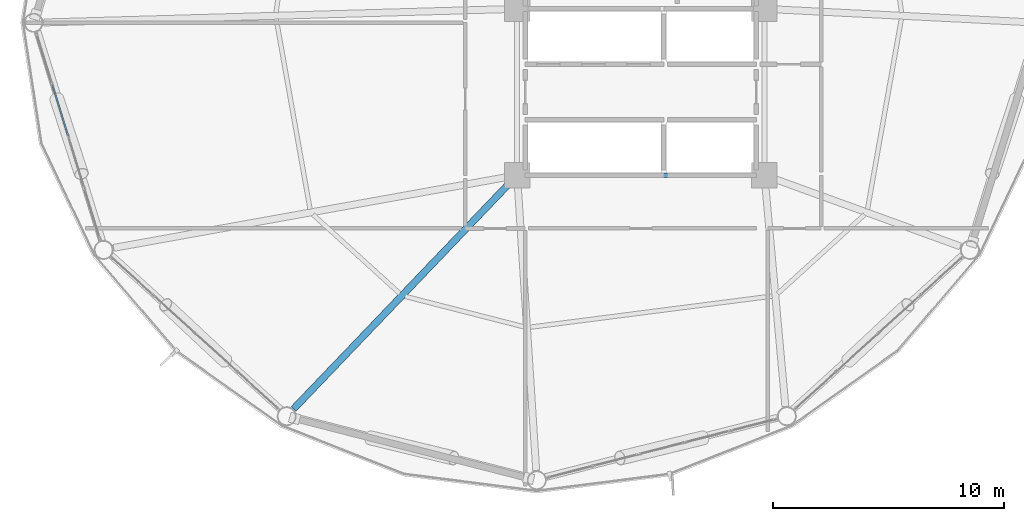
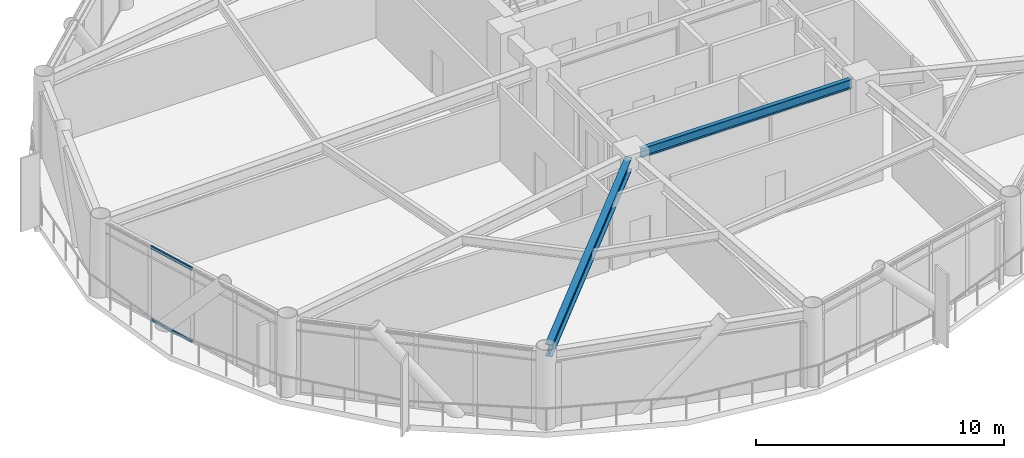
# One storey, part 7 of 25: 2 beams, 2 members, 1 element without a shape of its own.
"""IFC4 building model written with IfcOpenShell, lengths in metres."""

from ifc_helpers import new_model, si_unit, direction, frame, origin, origin_2d, place, context, subcontext, project, spatial, hollow_rectangle, i_section, extrude, material, layer, layer_set, material_profile, profile_set, type_object, element, aggregate, save


model = new_model("IFC4")

# Units and contexts
model_context = context("Model", 3, precision=1e-05, world=origin(), true_north=direction((0.0, 1.0)))
body_context = subcontext(model_context, "Body", "Model", "MODEL_VIEW")
ifc_project = project(units=[si_unit("LENGTHUNIT", "METRE"), si_unit("AREAUNIT", "SQUARE_METRE"), si_unit("VOLUMEUNIT", "CUBIC_METRE"), si_unit("PLANEANGLEUNIT", "RADIAN"), si_unit("MASSUNIT", "GRAM", prefix="KILO")], contexts=[model_context])

# Site, building, storey
site_placement = place(None, origin())
site = spatial("IfcSite", under=ifc_project, at=site_placement, CompositionType="ELEMENT")
building_placement = place(site_placement, origin())
building = spatial("IfcBuilding", under=site, at=building_placement, Name="Varnakorn Sky Granary", CompositionType="ELEMENT")
storey_placement = place(building_placement, frame((0.0, 0.0, 91.5)))
storey = spatial("IfcBuildingStorey", under=building, at=storey_placement, Name="L22", CompositionType="ELEMENT", Elevation=91.5)

# Beams
ifc_material_1 = material(Name="Steel S355JR", Category="steel")
ifc_material_profile_1 = material_profile(ifc_material_1, i_section(OverallWidth=0.300048828125, OverallDepth=0.60009765625, WebThickness=0.015380859375, FlangeThickness=0.030029296875, at=origin_2d()), Name="HE 600 B")
ifc_profile_set_1 = profile_set([ifc_material_profile_1], Name="Steel S355JR")
beam_type_1 = type_object("IfcBeamType", Name="BM-RAD-Z2", PredefinedType="BEAM", material=ifc_profile_set_1)
beam_1_placement = place(storey_placement, frame((-2.640380859375, -6.903564453125, 3.340087890625), z_axis=(-0.691280243838, -0.722586759136, 0.0), x_axis=(0.722586759136, -0.691280243838, 0.0)))
element("IfcBeam", 1, at=beam_1_placement, inside=storey, type_object=beam_type_1, Name="Radial Floor Girder RG09 L22", PredefinedType="BEAM", context=body_context, shape_type="SweptSolid", body=[
    extrude(i_section(OverallWidth=0.300048828125, OverallDepth=0.60009765625, WebThickness=0.015380859375, FlangeThickness=0.030029296875, at=origin_2d()), origin(), (0.0, 0.0, 1.0), 13.569091796875),
])
ifc_material_profile_2 = material_profile(ifc_material_1, i_section(OverallWidth=0.18994140625, OverallDepth=0.449951171875, WebThickness=0.009521484375, FlangeThickness=0.0146484375, at=origin_2d()), Name="IPE 450")
ifc_profile_set_2 = profile_set([ifc_material_profile_2], Name="Steel S355JR")
beam_type_2 = type_object("IfcBeamType", Name="BM-SEC-Z2", PredefinedType="BEAM", material=ifc_profile_set_2)
beam_2_placement = place(storey_placement, frame((-1.929931640625, -6.60009765625, 3.4150390625), z_axis=(1.0, 0.0, 0.0), x_axis=(0.0, 1.0, 0.0)))
element("IfcBeam", 2, at=beam_2_placement, inside=storey, type_object=beam_type_2, Name="Core Spine Framing Beam 6 L22", PredefinedType="BEAM", context=body_context, shape_type="SweptSolid", body=[
    extrude(i_section(OverallWidth=0.18994140625, OverallDepth=0.449951171875, WebThickness=0.009521484375, FlangeThickness=0.0146484375, at=origin_2d()), origin(), (0.0, 0.0, 1.0), 9.85986328125),
])

# Curtain wall, members
ifc_material_2 = material(Name="Anodised Bronze Aluminium Alloy 6063-T6", Category="aluminium")
ifc_layer = layer(ifc_material_2, 0.18994140625, Name="Anodised Bronze Aluminium Alloy 6063-T6")
ifc_layer_set = layer_set([ifc_layer], Name="Anodised Bronze Aluminium Alloy 6063-T6")
curtain_wall_type = type_object("IfcCurtainWallType", Name="CW-FRM-1", PredefinedType="USERDEFINED", material=ifc_layer_set)
curtain_wall_placement = place(storey_placement, origin())
curtain_wall = element("IfcCurtainWall", 3, at=curtain_wall_placement, inside=storey, type_object=curtain_wall_type, Name="Unitised Curtain Wall CW3 CW-L22-B07", ObjectType="CURTAIN WALL", PredefinedType="USERDEFINED")
ifc_material_profile_3 = material_profile(ifc_material_2, hollow_rectangle(XDim=0.070068359375, YDim=0.139892578125, WallThickness=0.00341796875, at=origin_2d()), Name="ALU TRAN 70x140")
ifc_profile_set_3 = profile_set([ifc_material_profile_3], Name="Anodised Bronze Aluminium Alloy 6063-T6")
member_type = type_object("IfcMemberType", Name="CW-FRM-1-TRAN", PredefinedType="USERDEFINED", material=ifc_profile_set_3)
member_1_placement = place(storey_placement, frame((-21.775634765625, -4.88330078125, 0.034912109375), z_axis=(-0.294947424438, 0.955513483326, 0.0), x_axis=(-0.955513483326, -0.294947424438, 0.0)))
member_1 = element("IfcMember", 4, at=member_1_placement, type_object=member_type, Name="CW3 transom 3.1", ObjectType="TRANSOM", PredefinedType="USERDEFINED", context=body_context, shape_type="SweptSolid", body=[
    extrude(hollow_rectangle(XDim=0.070068359375, YDim=0.139892578125, WallThickness=0.00341796875, at=origin_2d()), origin(), (0.0, 0.0, 1.0), 2.269775390625),
])
member_2_placement = place(storey_placement, frame((-21.775634765625, -4.88330078125, 3.60498046875), z_axis=(-0.294947424438, 0.955513483326, 0.0), x_axis=(-0.955513483326, -0.294947424438, 0.0)))
member_2 = element("IfcMember", 5, at=member_2_placement, type_object=member_type, Name="CW3 transom 3.2", ObjectType="TRANSOM", PredefinedType="USERDEFINED", context=body_context, shape_type="SweptSolid", body=[
    extrude(hollow_rectangle(XDim=0.070068359375, YDim=0.139892578125, WallThickness=0.00341796875, at=origin_2d()), origin(), (0.0, 0.0, 1.0), 2.269775390625),
])
aggregate(curtain_wall, [member_1, member_2])

save(model, "model.ifc")
